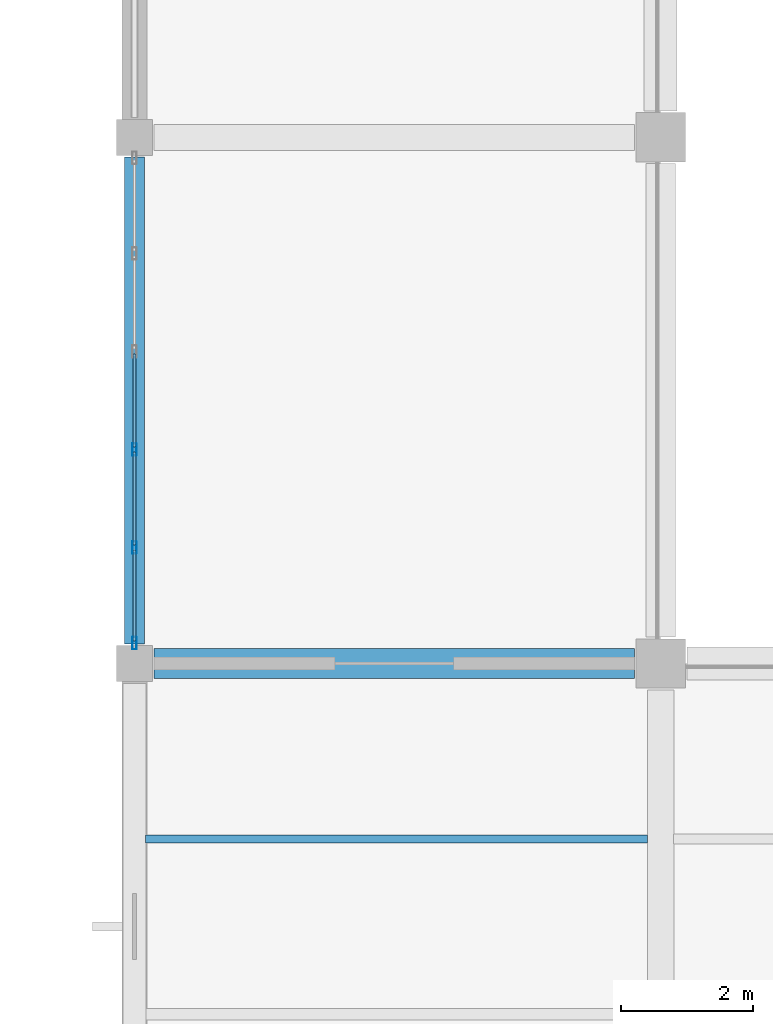
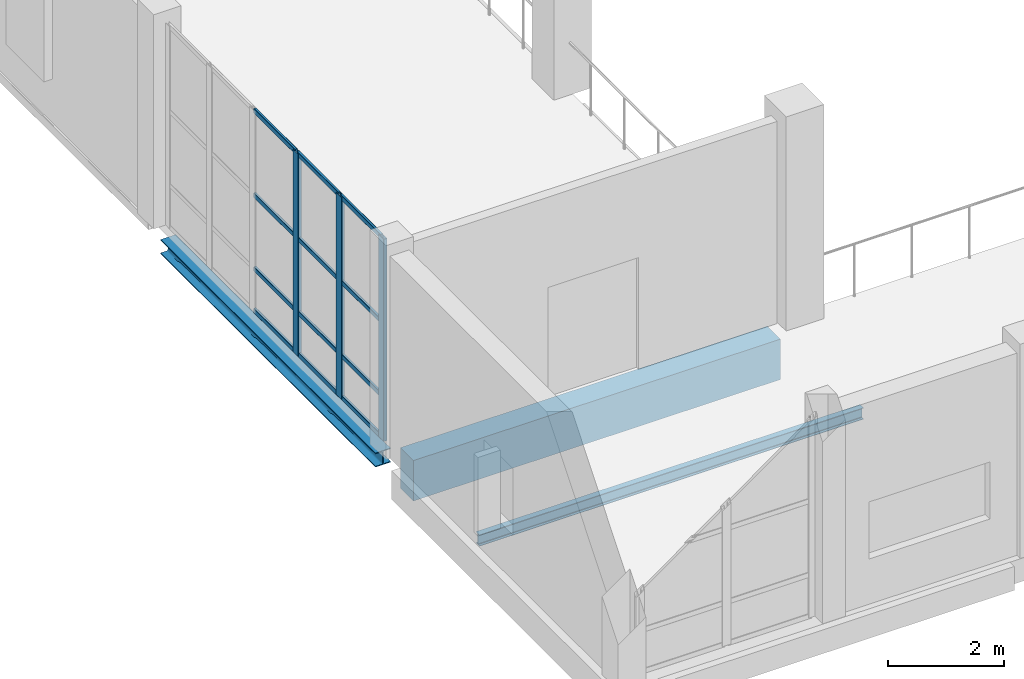
# One storey, part 94 of 183: 15 members, 3 beams, 1 element without a shape of its own.
"""IFC4 building model written with IfcOpenShell, lengths in metres."""

from ifc_helpers import new_model, si_unit, direction, frame, origin, origin_2d, place, context, subcontext, project, spatial, rectangle, hollow_rectangle, i_section, extrude, material, material_profile, profile_set, type_object, element, aggregate, save


model = new_model("IFC4")

# Units and contexts
model_context = context("Model", 3, precision=1e-05, world=origin(), true_north=direction((0.0, 1.0)))
body_context = subcontext(model_context, "Body", "Model", "MODEL_VIEW")
ifc_project = project(units=[si_unit("LENGTHUNIT", "METRE"), si_unit("AREAUNIT", "SQUARE_METRE"), si_unit("VOLUMEUNIT", "CUBIC_METRE"), si_unit("PLANEANGLEUNIT", "RADIAN"), si_unit("MASSUNIT", "GRAM", prefix="KILO")], contexts=[model_context])

# Site, building, storey
site_placement = place(None, origin())
site = spatial("IfcSite", under=ifc_project, at=site_placement, CompositionType="ELEMENT")
building_placement = place(site_placement, origin())
building = spatial("IfcBuilding", under=site, at=building_placement, Name="Luwemba Playhouse", CompositionType="ELEMENT")
storey_placement = place(building_placement, frame((0.0, 0.0, 4.800048828125)))
storey = spatial("IfcBuildingStorey", under=building, at=storey_placement, Name="L01", CompositionType="ELEMENT", Elevation=4.800048828125)

# Beams
ifc_material_1 = material(Name="Concrete C40/50", Category="concrete")
ifc_material_profile_1 = material_profile(ifc_material_1, rectangle(XDim=0.449951171875, YDim=0.85009765625, at=origin_2d()))
ifc_profile_set_1 = profile_set([ifc_material_profile_1], Name="Concrete C40/50")
beam_type_1 = type_object("IfcBeamType", Name="BM-RB05", PredefinedType="BEAM", material=ifc_profile_set_1)
beam_1_placement = place(storey_placement, frame((132.300048828125, 44.0, -0.675048828125), z_axis=(1.0, 0.0, 0.0), x_axis=(0.0, 1.0, 0.0)))
element("IfcBeam", 1, at=beam_1_placement, inside=storey, type_object=beam_type_1, Name="L01 grid girder 0409", PredefinedType="BEAM", context=body_context, shape_type="SweptSolid", body=[
    extrude(rectangle(XDim=0.449951171875, YDim=0.85009765625, at=origin_2d()), origin(), (0.0, 0.0, 1.0), 7.300048828125),
])
ifc_material_2 = material(Name="Steel S355", Category="steel")
ifc_material_profile_2 = material_profile(ifc_material_2, i_section(OverallWidth=0.1201171875, OverallDepth=0.239990234375, WebThickness=0.006103515625, FlangeThickness=0.009765625, FilletRadius=0.014892578125, at=origin_2d()))
ifc_profile_set_2 = profile_set([ifc_material_profile_2], Name="Steel S355")
beam_type_2 = type_object("IfcBeamType", Name="BM-SJ03", PredefinedType="JOIST", material=ifc_profile_set_2)
beam_2_placement = place(storey_placement, frame((132.1708984375, 41.333251953125, -0.3701171875), z_axis=(1.0, 0.0, 0.0), x_axis=(0.0, 1.0, 0.0)))
element("IfcBeam", 2, at=beam_2_placement, inside=storey, type_object=beam_type_2, Name="L01 composite floor joist 0256", PredefinedType="JOIST", context=body_context, shape_type="SweptSolid", body=[
    extrude(i_section(OverallWidth=0.1201171875, OverallDepth=0.239990234375, WebThickness=0.006103515625, FlangeThickness=0.009765625, FilletRadius=0.014892578125, at=origin_2d()), origin(), (0.0, 0.0, 1.0), 7.633056640625),
])
ifc_material_profile_3 = material_profile(ifc_material_2, i_section(OverallWidth=0.300048828125, OverallDepth=0.300048828125, WebThickness=0.010986328125, FlangeThickness=0.01904296875, FilletRadius=0.027099609375, at=origin_2d()))
ifc_profile_set_3 = profile_set([ifc_material_profile_3], Name="Steel S355")
beam_type_3 = type_object("IfcBeamType", Name="BM-SSP1", PredefinedType="SPANDREL", material=ifc_profile_set_3)
beam_3_placement = place(storey_placement, frame((132.0, 44.300048828125, -0.400146484375), z_axis=(0.0, 1.0, 0.0), x_axis=(-1.0, 0.0, 0.0)))
element("IfcBeam", 3, at=beam_3_placement, inside=storey, type_object=beam_type_3, Name="L01 transverse girder 0422", PredefinedType="SPANDREL", context=body_context, shape_type="SweptSolid", body=[
    extrude(i_section(OverallWidth=0.300048828125, OverallDepth=0.300048828125, WebThickness=0.010986328125, FlangeThickness=0.01904296875, FilletRadius=0.027099609375, at=origin_2d()), origin(), (0.0, 0.0, 1.0), 7.39990234375),
])

# Curtain wall, members
ifc_material_3 = material(Name="Solar-control double glazing", Category="glass")
curtain_wall_type = type_object("IfcCurtainWallType", Name="CW-CW73", PredefinedType="USERDEFINED", material=ifc_material_3)
curtain_wall_placement = place(storey_placement, origin())
curtain_wall = element("IfcCurtainWall", 4, at=curtain_wall_placement, inside=storey, type_object=curtain_wall_type, Name="L01 V3 unitised curtain wall 105", ObjectType="UNITISED GLAZING", PredefinedType="USERDEFINED")
ifc_material_4 = material(Name="Aluminium 6063-T6", Category="aluminium")
ifc_material_profile_4 = material_profile(ifc_material_4, hollow_rectangle(XDim=0.070068359375, YDim=0.18994140625, WallThickness=0.0048828125, InnerFilletRadius=0.007568359375, OuterFilletRadius=0.012451171875, at=origin_2d()))
ifc_profile_set_4 = profile_set([ifc_material_profile_4], Name="Aluminium 6063-T6")
member_type_1 = type_object("IfcMemberType", Name="CWM-M4", PredefinedType="MULLION", material=ifc_profile_set_4)
member_1_placement = place(storey_placement, frame((132.0, 44.31005859375, 0.0), z_axis=(0.0, 0.0, 1.0), x_axis=(-1.0, 0.0, 0.0)))
member_1 = element("IfcMember", 5, at=member_1_placement, type_object=member_type_1, Name="CW73 mullion 1", PredefinedType="MULLION", context=body_context, shape_type="SweptSolid", body=[
    extrude(hollow_rectangle(XDim=0.070068359375, YDim=0.18994140625, WallThickness=0.0048828125, InnerFilletRadius=0.007568359375, OuterFilletRadius=0.012451171875, at=origin_2d()), origin(), (0.0, 0.0, 1.0), 4.25),
])
member_2_placement = place(storey_placement, frame((132.0, 45.764892578125, 0.0), z_axis=(0.0, 0.0, 1.0), x_axis=(-1.0, 0.0, 0.0)))
member_2 = element("IfcMember", 6, at=member_2_placement, type_object=member_type_1, Name="CW73 mullion 2", PredefinedType="MULLION", context=body_context, shape_type="SweptSolid", body=[
    extrude(hollow_rectangle(XDim=0.070068359375, YDim=0.18994140625, WallThickness=0.0048828125, InnerFilletRadius=0.007568359375, OuterFilletRadius=0.012451171875, at=origin_2d()), origin(), (0.0, 0.0, 1.0), 4.25),
])
member_3_placement = place(storey_placement, frame((132.0, 47.2548828125, 0.0), z_axis=(0.0, 0.0, 1.0), x_axis=(-1.0, 0.0, 0.0)))
member_3 = element("IfcMember", 7, at=member_3_placement, type_object=member_type_1, Name="CW73 mullion 3", PredefinedType="MULLION", context=body_context, shape_type="SweptSolid", body=[
    extrude(hollow_rectangle(XDim=0.070068359375, YDim=0.18994140625, WallThickness=0.0048828125, InnerFilletRadius=0.007568359375, OuterFilletRadius=0.012451171875, at=origin_2d()), origin(), (0.0, 0.0, 1.0), 4.25),
])
ifc_material_profile_5 = material_profile(ifc_material_4, hollow_rectangle(XDim=0.050048828125, YDim=0.10009765625, WallThickness=0.00341796875, InnerFilletRadius=0.00537109375, OuterFilletRadius=0.0087890625, at=origin_2d()))
ifc_profile_set_5 = profile_set([ifc_material_profile_5], Name="Aluminium 6063-T6")
member_type_2 = type_object("IfcMemberType", Name="CWT-T4", PredefinedType="USERDEFINED", material=ifc_profile_set_5)
member_4_placement = place(storey_placement, frame((132.0, 44.344970703125, 0.02490234375), z_axis=(0.0, 1.0, 0.0), x_axis=(-1.0, 0.0, 0.0)))
member_4 = element("IfcMember", 8, at=member_4_placement, type_object=member_type_2, Name="CW73 transom 1.1", ObjectType="TRANSOM", PredefinedType="USERDEFINED", context=body_context, shape_type="SweptSolid", body=[
    extrude(hollow_rectangle(XDim=0.050048828125, YDim=0.10009765625, WallThickness=0.00341796875, InnerFilletRadius=0.00537109375, OuterFilletRadius=0.0087890625, at=origin_2d()), origin(), (0.0, 0.0, 1.0), 1.385009765625),
])
member_5_placement = place(storey_placement, frame((132.0, 44.344970703125, 0.89990234375), z_axis=(0.0, 1.0, 0.0), x_axis=(-1.0, 0.0, 0.0)))
member_5 = element("IfcMember", 9, at=member_5_placement, type_object=member_type_2, Name="CW73 transom 1.2", ObjectType="TRANSOM", PredefinedType="USERDEFINED", context=body_context, shape_type="SweptSolid", body=[
    extrude(hollow_rectangle(XDim=0.050048828125, YDim=0.10009765625, WallThickness=0.00341796875, InnerFilletRadius=0.00537109375, OuterFilletRadius=0.0087890625, at=origin_2d()), origin(), (0.0, 0.0, 1.0), 1.385009765625),
])
member_6_placement = place(storey_placement, frame((132.0, 44.344970703125, 2.449951171875), z_axis=(0.0, 1.0, 0.0), x_axis=(-1.0, 0.0, 0.0)))
member_6 = element("IfcMember", 10, at=member_6_placement, type_object=member_type_2, Name="CW73 transom 1.3", ObjectType="TRANSOM", PredefinedType="USERDEFINED", context=body_context, shape_type="SweptSolid", body=[
    extrude(hollow_rectangle(XDim=0.050048828125, YDim=0.10009765625, WallThickness=0.00341796875, InnerFilletRadius=0.00537109375, OuterFilletRadius=0.0087890625, at=origin_2d()), origin(), (0.0, 0.0, 1.0), 1.385009765625),
])
member_7_placement = place(storey_placement, frame((132.0, 44.344970703125, 4.224853515625), z_axis=(0.0, 1.0, 0.0), x_axis=(-1.0, 0.0, 0.0)))
member_7 = element("IfcMember", 11, at=member_7_placement, type_object=member_type_2, Name="CW73 transom 1.4", ObjectType="TRANSOM", PredefinedType="USERDEFINED", context=body_context, shape_type="SweptSolid", body=[
    extrude(hollow_rectangle(XDim=0.050048828125, YDim=0.10009765625, WallThickness=0.00341796875, InnerFilletRadius=0.00537109375, OuterFilletRadius=0.0087890625, at=origin_2d()), origin(), (0.0, 0.0, 1.0), 1.385009765625),
])
member_8_placement = place(storey_placement, frame((132.0, 45.800048828125, 0.02490234375), z_axis=(0.0, 1.0, 0.0), x_axis=(-1.0, 0.0, 0.0)))
member_8 = element("IfcMember", 12, at=member_8_placement, type_object=member_type_2, Name="CW73 transom 2.1", ObjectType="TRANSOM", PredefinedType="USERDEFINED", context=body_context, shape_type="SweptSolid", body=[
    extrude(hollow_rectangle(XDim=0.050048828125, YDim=0.10009765625, WallThickness=0.00341796875, InnerFilletRadius=0.00537109375, OuterFilletRadius=0.0087890625, at=origin_2d()), origin(), (0.0, 0.0, 1.0), 1.419921875),
])
member_9_placement = place(storey_placement, frame((132.0, 45.800048828125, 0.89990234375), z_axis=(0.0, 1.0, 0.0), x_axis=(-1.0, 0.0, 0.0)))
member_9 = element("IfcMember", 13, at=member_9_placement, type_object=member_type_2, Name="CW73 transom 2.2", ObjectType="TRANSOM", PredefinedType="USERDEFINED", context=body_context, shape_type="SweptSolid", body=[
    extrude(hollow_rectangle(XDim=0.050048828125, YDim=0.10009765625, WallThickness=0.00341796875, InnerFilletRadius=0.00537109375, OuterFilletRadius=0.0087890625, at=origin_2d()), origin(), (0.0, 0.0, 1.0), 1.419921875),
])
member_10_placement = place(storey_placement, frame((132.0, 45.800048828125, 2.449951171875), z_axis=(0.0, 1.0, 0.0), x_axis=(-1.0, 0.0, 0.0)))
member_10 = element("IfcMember", 14, at=member_10_placement, type_object=member_type_2, Name="CW73 transom 2.3", ObjectType="TRANSOM", PredefinedType="USERDEFINED", context=body_context, shape_type="SweptSolid", body=[
    extrude(hollow_rectangle(XDim=0.050048828125, YDim=0.10009765625, WallThickness=0.00341796875, InnerFilletRadius=0.00537109375, OuterFilletRadius=0.0087890625, at=origin_2d()), origin(), (0.0, 0.0, 1.0), 1.419921875),
])
member_11_placement = place(storey_placement, frame((132.0, 45.800048828125, 4.224853515625), z_axis=(0.0, 1.0, 0.0), x_axis=(-1.0, 0.0, 0.0)))
member_11 = element("IfcMember", 15, at=member_11_placement, type_object=member_type_2, Name="CW73 transom 2.4", ObjectType="TRANSOM", PredefinedType="USERDEFINED", context=body_context, shape_type="SweptSolid", body=[
    extrude(hollow_rectangle(XDim=0.050048828125, YDim=0.10009765625, WallThickness=0.00341796875, InnerFilletRadius=0.00537109375, OuterFilletRadius=0.0087890625, at=origin_2d()), origin(), (0.0, 0.0, 1.0), 1.419921875),
])
member_12_placement = place(storey_placement, frame((132.0, 47.2900390625, 0.02490234375), z_axis=(0.0, 1.0, 0.0), x_axis=(-1.0, 0.0, 0.0)))
member_12 = element("IfcMember", 16, at=member_12_placement, type_object=member_type_2, Name="CW73 transom 3.1", ObjectType="TRANSOM", PredefinedType="USERDEFINED", context=body_context, shape_type="SweptSolid", body=[
    extrude(hollow_rectangle(XDim=0.050048828125, YDim=0.10009765625, WallThickness=0.00341796875, InnerFilletRadius=0.00537109375, OuterFilletRadius=0.0087890625, at=origin_2d()), origin(), (0.0, 0.0, 1.0), 1.419921875),
])
member_13_placement = place(storey_placement, frame((132.0, 47.2900390625, 0.89990234375), z_axis=(0.0, 1.0, 0.0), x_axis=(-1.0, 0.0, 0.0)))
member_13 = element("IfcMember", 17, at=member_13_placement, type_object=member_type_2, Name="CW73 transom 3.2", ObjectType="TRANSOM", PredefinedType="USERDEFINED", context=body_context, shape_type="SweptSolid", body=[
    extrude(hollow_rectangle(XDim=0.050048828125, YDim=0.10009765625, WallThickness=0.00341796875, InnerFilletRadius=0.00537109375, OuterFilletRadius=0.0087890625, at=origin_2d()), origin(), (0.0, 0.0, 1.0), 1.419921875),
])
member_14_placement = place(storey_placement, frame((132.0, 47.2900390625, 2.449951171875), z_axis=(0.0, 1.0, 0.0), x_axis=(-1.0, 0.0, 0.0)))
member_14 = element("IfcMember", 18, at=member_14_placement, type_object=member_type_2, Name="CW73 transom 3.3", ObjectType="TRANSOM", PredefinedType="USERDEFINED", context=body_context, shape_type="SweptSolid", body=[
    extrude(hollow_rectangle(XDim=0.050048828125, YDim=0.10009765625, WallThickness=0.00341796875, InnerFilletRadius=0.00537109375, OuterFilletRadius=0.0087890625, at=origin_2d()), origin(), (0.0, 0.0, 1.0), 1.419921875),
])
member_15_placement = place(storey_placement, frame((132.0, 47.2900390625, 4.224853515625), z_axis=(0.0, 1.0, 0.0), x_axis=(-1.0, 0.0, 0.0)))
member_15 = element("IfcMember", 19, at=member_15_placement, type_object=member_type_2, Name="CW73 transom 3.4", ObjectType="TRANSOM", PredefinedType="USERDEFINED", context=body_context, shape_type="SweptSolid", body=[
    extrude(hollow_rectangle(XDim=0.050048828125, YDim=0.10009765625, WallThickness=0.00341796875, InnerFilletRadius=0.00537109375, OuterFilletRadius=0.0087890625, at=origin_2d()), origin(), (0.0, 0.0, 1.0), 1.419921875),
])
aggregate(curtain_wall, [member_1, member_2, member_3, member_4, member_5, member_6, member_7, member_8, member_9, member_10, member_11, member_12, member_13, member_14, member_15])

save(model, "model.ifc")
